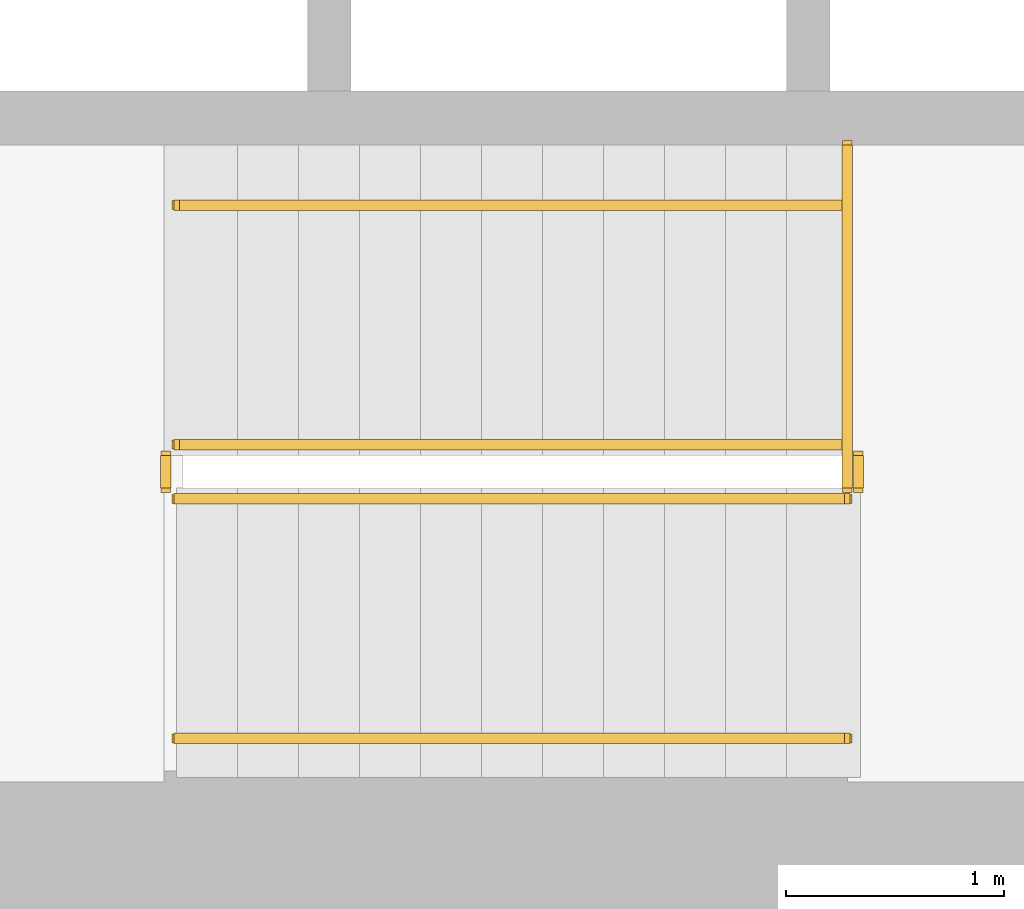
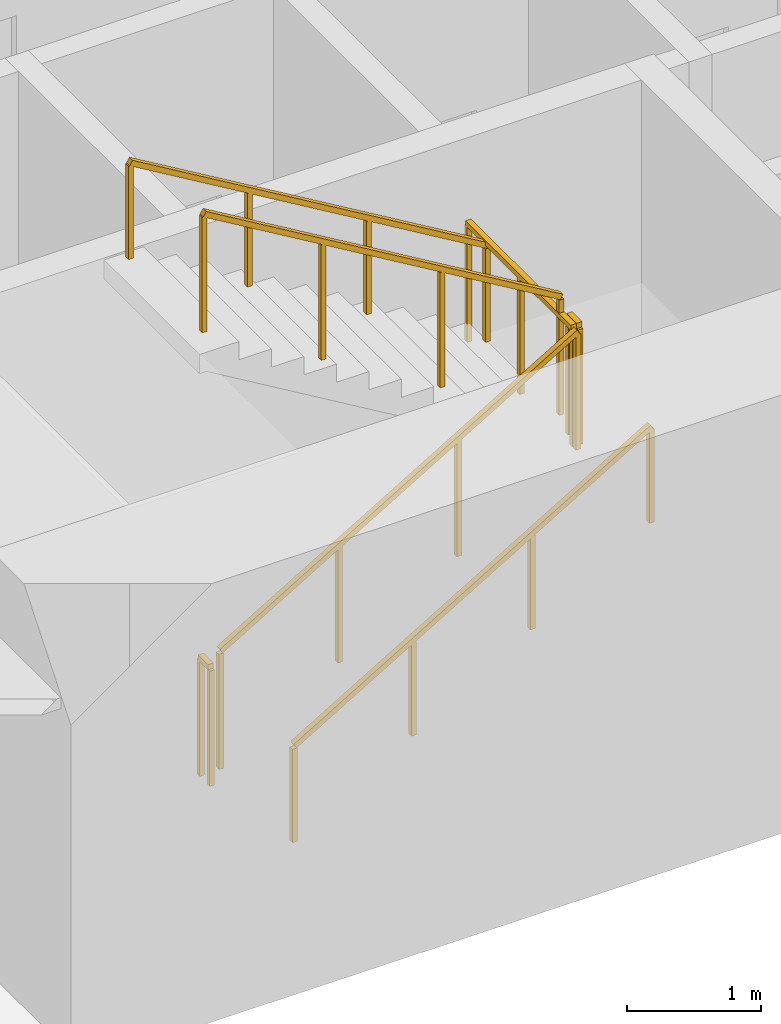
# One storey, part 13 of 18: 7 railings.
"""IFC4 building model written with IfcOpenShell, lengths in metres."""

from ifc_helpers import new_model, si_unit, direction, frame, origin, origin_2d, place, context, subcontext, project, spatial, rectangle, extrude, material, type_object, element, save


model = new_model("IFC4")

# Units and contexts
model_context = context("Model", 3, precision=1e-05, world=origin(), true_north=direction((0.0, 1.0)))
body_context = subcontext(model_context, "Body", "Model", "MODEL_VIEW")
ifc_project = project(units=[si_unit("LENGTHUNIT", "METRE"), si_unit("AREAUNIT", "SQUARE_METRE"), si_unit("VOLUMEUNIT", "CUBIC_METRE"), si_unit("PLANEANGLEUNIT", "RADIAN"), si_unit("MASSUNIT", "GRAM", prefix="KILO")], contexts=[model_context])

# Site, building, storey
site_placement = place(None, origin())
site = spatial("IfcSite", under=ifc_project, at=site_placement, CompositionType="ELEMENT")
building_placement = place(site_placement, origin())
building = spatial("IfcBuilding", under=site, at=building_placement, Name="Sennacour Bend Tower", CompositionType="ELEMENT")
storey_placement = place(building_placement, frame((0.0, 0.0, 29.0)))
storey = spatial("IfcBuildingStorey", under=building, at=storey_placement, Name="L05", CompositionType="ELEMENT", Elevation=29.0)

# Railings
ifc_material = material(Name="Stainless steel", Category="steel")
railing_type_1 = type_object("IfcRailingType", Name="RL-GUARD-1100", PredefinedType="GUARDRAIL", material=ifc_material)
railing_1_placement = place(storey_placement, frame((56.699951171875, 2.449951171875, 0.166748046875)))
element("IfcRailing", 1, at=railing_1_placement, inside=storey, type_object=railing_type_1, Name="L05 SA1 stair guard 1", PredefinedType="GUARDRAIL", context=body_context, shape_type="SweptSolid", body=[
    extrude(rectangle(XDim=0.048095703125, YDim=0.048095703125, at=origin_2d()), frame((0.0, 0.0, 1.076171875), z_axis=(0.859308565015, 0.0, 0.511457515432), x_axis=(0.0, 1.0, 0.0)), (0.0, 0.0, 1.0), 3.58447265625),
    extrude(rectangle(XDim=0.0419921875, YDim=0.0419921875, at=origin_2d()), origin(), (0.0, 0.0, 1.0), 1.052001953125),
    extrude(rectangle(XDim=0.0419921875, YDim=0.0419921875, at=origin_2d()), frame((1.026611328125, 0.0, 0.611083984375)), (0.0, 0.0, 1.0), 1.052001953125),
    extrude(rectangle(XDim=0.0419921875, YDim=0.0419921875, at=origin_2d()), frame((2.053466796875, 0.0, 1.22216796875)), (0.0, 0.0, 1.0), 1.052001953125),
    extrude(rectangle(XDim=0.0419921875, YDim=0.0419921875, at=origin_2d()), frame((3.080078125, 0.0, 1.833251953125)), (0.0, 0.0, 1.0), 1.052001953125),
])
railing_2_placement = place(storey_placement, frame((59.830078125, 2.5, 2.0)))
element("IfcRailing", 2, at=railing_2_placement, inside=storey, type_object=railing_type_1, Name="L05 SA1 stair guard 2", PredefinedType="GUARDRAIL", context=body_context, shape_type="SweptSolid", body=[
    extrude(rectangle(XDim=0.048095703125, YDim=0.048095703125, at=origin_2d()), frame((0.0, 0.0, 1.076171875), z_axis=(0.0, 1.0, 0.0), x_axis=(-1.0, 0.0, 0.0)), (0.0, 0.0, 1.0), 0.14990234375),
    extrude(rectangle(XDim=0.0419921875, YDim=0.0419921875, at=origin_2d()), origin(), (0.0, 0.0, 1.0), 1.052001953125),
    extrude(rectangle(XDim=0.0419921875, YDim=0.0419921875, at=origin_2d()), frame((0.0, 0.14990234375, 0.0)), (0.0, 0.0, 1.0), 1.052001953125),
])
railing_3_placement = place(storey_placement, frame((59.780029296875, 2.699951171875, 2.166748046875)))
element("IfcRailing", 3, at=railing_3_placement, inside=storey, type_object=railing_type_1, Name="L05 SA1 stair guard 4", PredefinedType="GUARDRAIL", context=body_context, shape_type="SweptSolid", body=[
    extrude(rectangle(XDim=0.048095703125, YDim=0.048095703125, at=origin_2d()), frame((0.0, 0.0, 1.076171875), z_axis=(-0.859308565015, 0.0, 0.511457515432), x_axis=(0.0, -1.0, 0.0)), (0.0, 0.0, 1.0), 3.58447265625),
    extrude(rectangle(XDim=0.0419921875, YDim=0.0419921875, at=origin_2d()), origin(), (0.0, 0.0, 1.0), 1.052001953125),
    extrude(rectangle(XDim=0.0419921875, YDim=0.0419921875, at=origin_2d()), frame((-1.026611328125, 0.0, 0.611083984375)), (0.0, 0.0, 1.0), 1.052001953125),
    extrude(rectangle(XDim=0.0419921875, YDim=0.0419921875, at=origin_2d()), frame((-2.053466796875, 0.0, 1.22216796875)), (0.0, 0.0, 1.0), 1.052001953125),
    extrude(rectangle(XDim=0.0419921875, YDim=0.0419921875, at=origin_2d()), frame((-3.080078125, 0.0, 1.833251953125)), (0.0, 0.0, 1.0), 1.052001953125),
])
railing_4_placement = place(storey_placement, frame((56.64990234375, 2.5, 0.0)))
element("IfcRailing", 4, at=railing_4_placement, inside=storey, type_object=railing_type_1, Name="L05 SA1 stair guard 5", PredefinedType="GUARDRAIL", context=body_context, shape_type="SweptSolid", body=[
    extrude(rectangle(XDim=0.048095703125, YDim=0.048095703125, at=origin_2d()), frame((0.0, 0.0, 1.076171875), z_axis=(0.0, 1.0, 0.0), x_axis=(-1.0, 0.0, 0.0)), (0.0, 0.0, 1.0), 0.14990234375),
    extrude(rectangle(XDim=0.0419921875, YDim=0.0419921875, at=origin_2d()), origin(), (0.0, 0.0, 1.0), 1.052001953125),
    extrude(rectangle(XDim=0.0419921875, YDim=0.0419921875, at=origin_2d()), frame((0.0, 0.14990234375, 0.0)), (0.0, 0.0, 1.0), 1.052001953125),
])
railing_5_placement = place(storey_placement, frame((59.780029296875, 2.5, 2.0)))
element("IfcRailing", 5, at=railing_5_placement, inside=storey, type_object=railing_type_1, Name="L05 SA1 landing edge guard 20", PredefinedType="GUARDRAIL", context=body_context, shape_type="SweptSolid", body=[
    extrude(rectangle(XDim=0.048095703125, YDim=0.048095703125, at=origin_2d()), frame((0.0, 0.0, 1.076171875), z_axis=(0.0, 1.0, 0.0), x_axis=(-1.0, 0.0, 0.0)), (0.0, 0.0, 1.0), 1.574951171875),
    extrude(rectangle(XDim=0.0419921875, YDim=0.0419921875, at=origin_2d()), origin(), (0.0, 0.0, 1.0), 1.052001953125),
    extrude(rectangle(XDim=0.0419921875, YDim=0.0419921875, at=origin_2d()), frame((0.0, 0.78759765625, 0.0)), (0.0, 0.0, 1.0), 1.052001953125),
    extrude(rectangle(XDim=0.0419921875, YDim=0.0419921875, at=origin_2d()), frame((0.0, 1.574951171875, 0.0)), (0.0, 0.0, 1.0), 1.052001953125),
])
railing_type_2 = type_object("IfcRailingType", Name="RL-HANDRAIL-900", PredefinedType="HANDRAIL", material=ifc_material)
railing_6_placement = place(storey_placement, frame((56.699951171875, 1.35009765625, 0.166748046875)))
element("IfcRailing", 6, at=railing_6_placement, inside=storey, type_object=railing_type_2, Name="L05 SA1 stair handrail 1", PredefinedType="HANDRAIL", context=body_context, shape_type="SweptSolid", body=[
    extrude(rectangle(XDim=0.048095703125, YDim=0.048095703125, at=origin_2d()), frame((0.0, 0.0, 0.8759765625), z_axis=(0.859308565015, 0.0, 0.511457515432), x_axis=(0.0, 1.0, 0.0)), (0.0, 0.0, 1.0), 3.58447265625),
    extrude(rectangle(XDim=0.0419921875, YDim=0.0419921875, at=origin_2d()), origin(), (0.0, 0.0, 1.0), 0.851806640625),
    extrude(rectangle(XDim=0.0419921875, YDim=0.0419921875, at=origin_2d()), frame((1.026611328125, 0.0, 0.611083984375)), (0.0, 0.0, 1.0), 0.851806640625),
    extrude(rectangle(XDim=0.0419921875, YDim=0.0419921875, at=origin_2d()), frame((2.053466796875, 0.0, 1.22216796875)), (0.0, 0.0, 1.0), 0.851806640625),
    extrude(rectangle(XDim=0.0419921875, YDim=0.0419921875, at=origin_2d()), frame((3.080078125, 0.0, 1.833251953125)), (0.0, 0.0, 1.0), 0.851806640625),
])
railing_7_placement = place(storey_placement, frame((59.780029296875, 3.800048828125, 2.166748046875)))
element("IfcRailing", 7, at=railing_7_placement, inside=storey, type_object=railing_type_2, Name="L05 SA1 stair handrail 2", PredefinedType="HANDRAIL", context=body_context, shape_type="SweptSolid", body=[
    extrude(rectangle(XDim=0.048095703125, YDim=0.048095703125, at=origin_2d()), frame((0.0, 0.0, 0.8759765625), z_axis=(-0.859308565015, 0.0, 0.511457515432), x_axis=(0.0, -1.0, 0.0)), (0.0, 0.0, 1.0), 3.58447265625),
    extrude(rectangle(XDim=0.0419921875, YDim=0.0419921875, at=origin_2d()), origin(), (0.0, 0.0, 1.0), 0.851806640625),
    extrude(rectangle(XDim=0.0419921875, YDim=0.0419921875, at=origin_2d()), frame((-1.026611328125, 0.0, 0.611083984375)), (0.0, 0.0, 1.0), 0.851806640625),
    extrude(rectangle(XDim=0.0419921875, YDim=0.0419921875, at=origin_2d()), frame((-2.053466796875, 0.0, 1.22216796875)), (0.0, 0.0, 1.0), 0.851806640625),
    extrude(rectangle(XDim=0.0419921875, YDim=0.0419921875, at=origin_2d()), frame((-3.080078125, 0.0, 1.833251953125)), (0.0, 0.0, 1.0), 0.851806640625),
])

save(model, "model.ifc")
